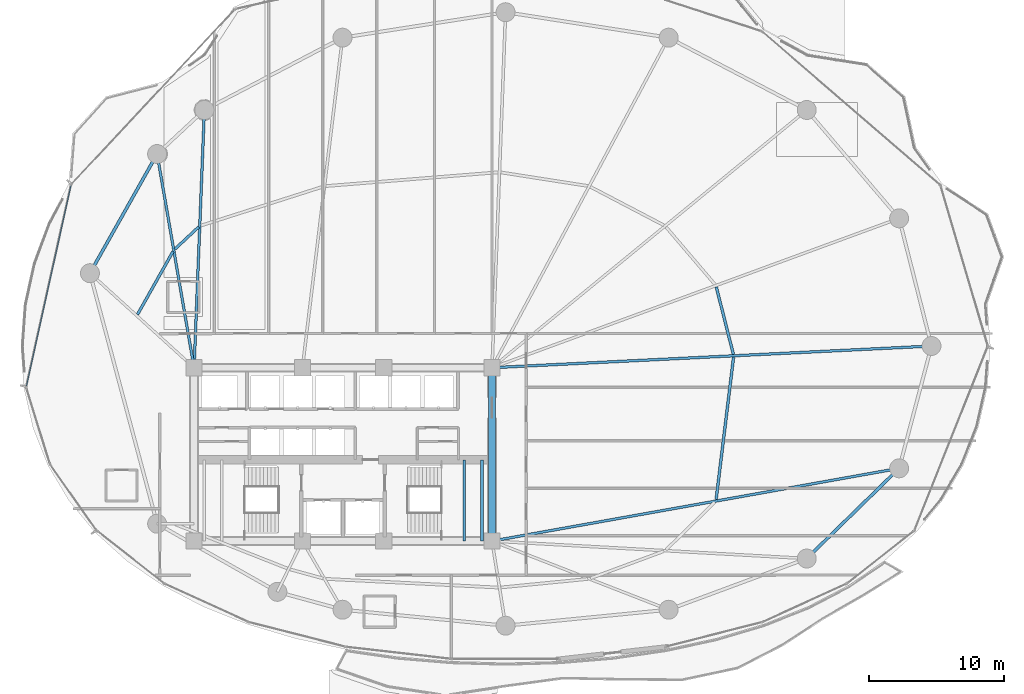
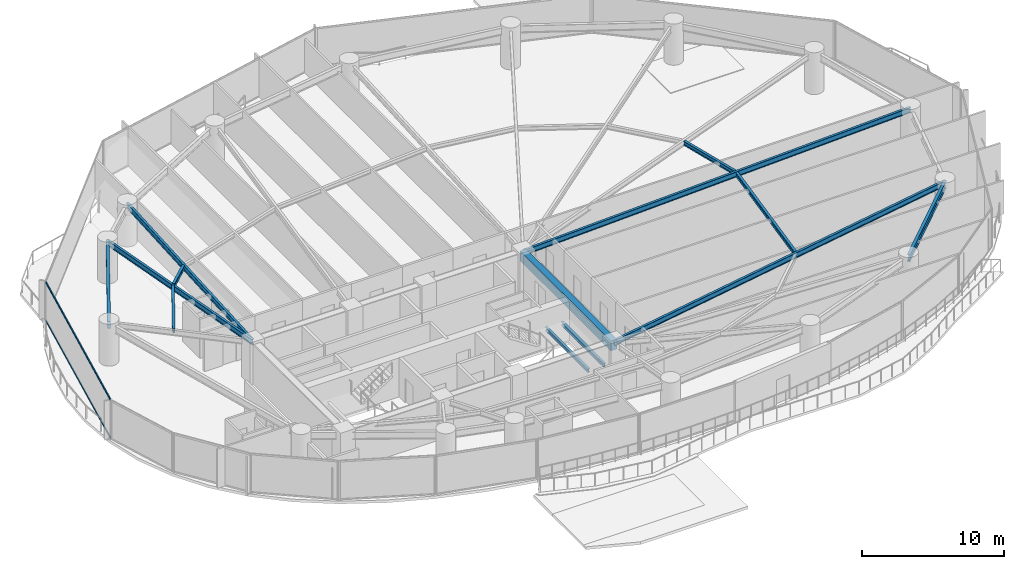
# One storey, part 15 of 32: 13 beams, 2 members, 1 element without a shape of its own.
"""IFC4 building model written with IfcOpenShell, lengths in metres."""

from ifc_helpers import new_model, si_unit, direction, frame, origin, origin_2d, place, context, subcontext, project, spatial, rectangle, hollow_rectangle, i_section, extrude, material, layer, layer_set, material_profile, profile_set, type_object, element, aggregate, save


model = new_model("IFC4")

# Units and contexts
model_context = context("Model", 3, precision=1e-05, world=origin(), true_north=direction((0.0, 1.0)))
body_context = subcontext(model_context, "Body", "Model", "MODEL_VIEW")
ifc_project = project(units=[si_unit("LENGTHUNIT", "METRE"), si_unit("AREAUNIT", "SQUARE_METRE"), si_unit("VOLUMEUNIT", "CUBIC_METRE"), si_unit("PLANEANGLEUNIT", "RADIAN"), si_unit("MASSUNIT", "GRAM", prefix="KILO")], contexts=[model_context])

# Site, building, storey
site_placement = place(None, origin())
site = spatial("IfcSite", under=ifc_project, at=site_placement, CompositionType="ELEMENT")
building_placement = place(site_placement, origin())
building = spatial("IfcBuilding", under=site, at=building_placement, Name="Kazevale Care Tower and Concert Hall", CompositionType="ELEMENT")
storey_placement = place(building_placement, frame((0.0, 0.0, 24.0)))
storey = spatial("IfcBuildingStorey", under=building, at=storey_placement, Name="L05", CompositionType="ELEMENT", Elevation=24.0)

# Curtain wall, members
ifc_material_1 = material(Name="Aluminium 6063-T6 and Low-E Glass", Category="aluminium")
ifc_layer = layer(ifc_material_1, 0.179931640625)
ifc_layer_set = layer_set([ifc_layer], Name="Aluminium 6063-T6 and Low-E Glass")
curtain_wall_type = type_object("IfcCurtainWallType", Name="Waist & Upper Residential Curtain Wall CW-4", PredefinedType="NOTDEFINED", material=ifc_layer_set)
curtain_wall_placement = place(storey_placement, origin())
curtain_wall = element("IfcCurtainWall", 1, at=curtain_wall_placement, inside=storey, type_object=curtain_wall_type, Name="cw:L05:f13", PredefinedType="NOTDEFINED")
ifc_material_2 = material(Name="Aluminium 6063-T6", Category="aluminium")
ifc_material_profile_1 = material_profile(ifc_material_2, hollow_rectangle(XDim=0.080078125, YDim=0.139892578125, WallThickness=0.00390625, at=origin_2d()), Name="ALU80x140x4")
ifc_profile_set_1 = profile_set([ifc_material_profile_1], Name="Aluminium 6063-T6")
member_type = type_object("IfcMemberType", Name="CW-4 Transom ALU80x140x4", PredefinedType="USERDEFINED", material=ifc_profile_set_1)
member_1_placement = place(storey_placement, frame((9.621337890625, 35.0361328125, 0.0400390625), z_axis=(0.216465185417, 0.976290337708, 0.0), x_axis=(-0.976290337708, 0.216465185417, 0.0)))
member_1 = element("IfcMember", 2, at=member_1_placement, type_object=member_type, Name="CW-4 transom 1.1", ObjectType="TRANSOM", PredefinedType="USERDEFINED", context=body_context, shape_type="SweptSolid", body=[
    extrude(hollow_rectangle(XDim=0.080078125, YDim=0.139892578125, WallThickness=0.00390625, at=origin_2d()), origin(), (0.0, 0.0, 1.0), 15.16845703125),
])
member_2_placement = place(storey_placement, frame((9.621337890625, 35.0361328125, 3.320068359375), z_axis=(0.216465185417, 0.976290337708, 0.0), x_axis=(-0.976290337708, 0.216465185417, 0.0)))
member_2 = element("IfcMember", 3, at=member_2_placement, type_object=member_type, Name="CW-4 transom 1.2", ObjectType="TRANSOM", PredefinedType="USERDEFINED", context=body_context, shape_type="SweptSolid", body=[
    extrude(hollow_rectangle(XDim=0.080078125, YDim=0.139892578125, WallThickness=0.00390625, at=origin_2d()), origin(), (0.0, 0.0, 1.0), 15.16845703125),
])
aggregate(curtain_wall, [member_1, member_2])

# Beams
ifc_material_3 = material(Name="Concrete C60", Category="concrete")
ifc_material_profile_2 = material_profile(ifc_material_3, rectangle(XDim=0.5, YDim=0.85009765625, at=origin_2d()), Name="RC-B500x850")
ifc_profile_set_2 = profile_set([ifc_material_profile_2], Name="Concrete C60")
beam_type_1 = type_object("IfcBeamType", Name="Core Coupling Beam RC500x850", PredefinedType="LINTEL", material=ifc_profile_set_2)
beam_1_placement = place(storey_placement, frame((44.0, 23.60009765625, 2.93505859375), z_axis=(0.0, 1.0, 0.0), x_axis=(-1.0, 0.0, 0.0)))
element("IfcBeam", 4, at=beam_1_placement, inside=storey, type_object=beam_type_1, Name="beam:L05:coretie:4", PredefinedType="LINTEL", context=body_context, shape_type="SweptSolid", body=[
    extrude(rectangle(XDim=0.5, YDim=0.85009765625, at=origin_2d()), origin(), (0.0, 0.0, 1.0), 12.7998046875),
])
ifc_material_4 = material(Name="Steel ASTM A572 Gr 50", Category="steel")
ifc_material_profile_3 = material_profile(ifc_material_4, i_section(OverallWidth=0.19091796875, OverallDepth=0.4599609375, WebThickness=0.010009765625, FlangeThickness=0.01611328125, at=origin_2d()), Name="W460x82")
ifc_profile_set_3 = profile_set([ifc_material_profile_3], Name="Steel ASTM A572 Gr 50")
beam_type_2 = type_object("IfcBeamType", Name="Radial Floor Beam W460x82", PredefinedType="BEAM", material=ifc_profile_set_3)
beam_2_placement = place(storey_placement, frame((44.0, 36.39990234375, 3.1298828125), z_axis=(0.998786488782, 0.049249871327, 0.0), x_axis=(-0.049249871327, 0.998786488782, 0.0)))
element("IfcBeam", 5, at=beam_2_placement, inside=storey, type_object=beam_type_2, Name="beam:L05:rad:01", PredefinedType="BEAM", context=body_context, shape_type="SweptSolid", body=[
    extrude(i_section(OverallWidth=0.19091796875, OverallDepth=0.4599609375, WebThickness=0.010009765625, FlangeThickness=0.01611328125, at=origin_2d()), origin(), (0.0, 0.0, 1.0), 32.4892578125),
])
beam_3_placement = place(storey_placement, frame((22.0, 36.39990234375, 3.1298828125), z_axis=(0.039905581428, 0.999203455044, 0.0), x_axis=(-0.999203455044, 0.039905581428, 0.0)))
element("IfcBeam", 6, at=beam_3_placement, inside=storey, type_object=beam_type_2, Name="beam:L05:rad:07", PredefinedType="BEAM", context=body_context, shape_type="SweptSolid", body=[
    extrude(i_section(OverallWidth=0.19091796875, OverallDepth=0.4599609375, WebThickness=0.010009765625, FlangeThickness=0.01611328125, at=origin_2d()), origin(), (0.0, 0.0, 1.0), 19.045166015625),
])
beam_4_placement = place(storey_placement, frame((22.0, 36.39990234375, 3.1298828125), z_axis=(-0.170469986865, 0.985362868987, 0.0), x_axis=(-0.985362868987, -0.170469986865, 0.0)))
element("IfcBeam", 7, at=beam_4_placement, inside=storey, type_object=beam_type_2, Name="beam:L05:rad:08", PredefinedType="BEAM", context=body_context, shape_type="SweptSolid", body=[
    extrude(i_section(OverallWidth=0.19091796875, OverallDepth=0.4599609375, WebThickness=0.010009765625, FlangeThickness=0.01611328125, at=origin_2d()), origin(), (0.0, 0.0, 1.0), 16.014404296875),
])
beam_5_placement = place(storey_placement, frame((44.0, 23.60009765625, 3.1298828125), z_axis=(0.984416208219, 0.175854283415, 0.0), x_axis=(-0.175854283415, 0.984416208219, 0.0)))
element("IfcBeam", 8, at=beam_5_placement, inside=storey, type_object=beam_type_2, Name="beam:L05:rad:16", PredefinedType="BEAM", context=body_context, shape_type="SweptSolid", body=[
    extrude(i_section(OverallWidth=0.19091796875, OverallDepth=0.4599609375, WebThickness=0.010009765625, FlangeThickness=0.01611328125, at=origin_2d()), origin(), (0.0, 0.0, 1.0), 30.535888671875),
])
ifc_material_profile_4 = material_profile(ifc_material_4, i_section(OverallWidth=0.22900390625, OverallDepth=0.612060546875, WebThickness=0.011962890625, FlangeThickness=0.01953125, at=origin_2d()), Name="W610x125")
ifc_profile_set_4 = profile_set([ifc_material_profile_4], Name="Steel ASTM A572 Gr 50")
beam_type_3 = type_object("IfcBeamType", Name="Ring Spandrel Beam W610x125", PredefinedType="SPANDREL", material=ifc_profile_set_4)
beam_6_placement = place(storey_placement, frame((19.27001953125, 52.179931640625, 3.053955078125), z_axis=(-0.491008061092, -0.87115502865, 0.0), x_axis=(0.87115502865, -0.491008061092, 0.0)))
element("IfcBeam", 9, at=beam_6_placement, inside=storey, type_object=beam_type_3, Name="beam:L05:ring:08", PredefinedType="SPANDREL", context=body_context, shape_type="SweptSolid", body=[
    extrude(i_section(OverallWidth=0.22900390625, OverallDepth=0.612060546875, WebThickness=0.011962890625, FlangeThickness=0.01953125, at=origin_2d()), origin(), (0.0, 0.0, 1.0), 10.1015625),
])
beam_7_placement = place(storey_placement, frame((67.239990234375, 22.31005859375, 3.053955078125), z_axis=(0.715457453508, 0.698656304788, 0.0), x_axis=(-0.698656304788, 0.715457453508, 0.0)))
element("IfcBeam", 10, at=beam_7_placement, inside=storey, type_object=beam_type_3, Name="beam:L05:ring:15", PredefinedType="SPANDREL", context=body_context, shape_type="SweptSolid", body=[
    extrude(i_section(OverallWidth=0.22900390625, OverallDepth=0.612060546875, WebThickness=0.011962890625, FlangeThickness=0.01953125, at=origin_2d()), origin(), (0.0, 0.0, 1.0), 9.532470703125),
])
ifc_material_profile_5 = material_profile(ifc_material_4, i_section(OverallWidth=0.205078125, OverallDepth=0.35400390625, WebThickness=0.009521484375, FlangeThickness=0.016845703125, at=origin_2d()), Name="W360x79")
ifc_profile_set_5 = profile_set([ifc_material_profile_5], Name="Steel ASTM A572 Gr 50")
beam_type_4 = type_object("IfcBeamType", Name="Secondary Floor Joist W360x79", PredefinedType="JOIST", material=ifc_profile_set_5)
beam_8_placement = place(storey_placement, frame((61.822021484375, 37.382080078125, 3.18310546875), z_axis=(-0.24568570229, 0.969349542575, 0.0), x_axis=(-0.969349542575, -0.24568570229, 0.0)))
element("IfcBeam", 11, at=beam_8_placement, inside=storey, type_object=beam_type_4, Name="beam:L05:joist:01", PredefinedType="JOIST", context=body_context, shape_type="SweptSolid", body=[
    extrude(i_section(OverallWidth=0.205078125, OverallDepth=0.35400390625, WebThickness=0.009521484375, FlangeThickness=0.016845703125, at=origin_2d()), origin(), (0.0, 0.0, 1.0), 5.140380859375),
])
beam_9_placement = place(storey_placement, frame((22.341064453125, 46.794921875, 3.18310546875), z_axis=(-0.73194965424, -0.68135871878, 0.0), x_axis=(0.68135871878, -0.73194965424, 0.0)))
element("IfcBeam", 12, at=beam_9_placement, inside=storey, type_object=beam_type_4, Name="beam:L05:joist:07", PredefinedType="JOIST", context=body_context, shape_type="SweptSolid", body=[
    extrude(i_section(OverallWidth=0.205078125, OverallDepth=0.35400390625, WebThickness=0.009521484375, FlangeThickness=0.016845703125, at=origin_2d()), origin(), (0.0, 0.0, 1.0), 2.412841796875),
])
beam_10_placement = place(storey_placement, frame((20.447021484375, 44.988037109375, 3.18310546875), z_axis=(-0.490956987312, -0.871183813331, 0.0), x_axis=(0.871183813331, -0.490956987312, 0.0)))
element("IfcBeam", 13, at=beam_10_placement, inside=storey, type_object=beam_type_4, Name="beam:L05:joist:08", PredefinedType="JOIST", context=body_context, shape_type="SweptSolid", body=[
    extrude(i_section(OverallWidth=0.205078125, OverallDepth=0.35400390625, WebThickness=0.009521484375, FlangeThickness=0.016845703125, at=origin_2d()), origin(), (0.0, 0.0, 1.0), 5.3466796875),
])
beam_11_placement = place(storey_placement, frame((60.5458984375, 26.657958984375, 3.18310546875), z_axis=(0.1216468088, 0.992573450133, 0.0), x_axis=(-0.992573450133, 0.1216468088, 0.0)))
element("IfcBeam", 14, at=beam_11_placement, inside=storey, type_object=beam_type_4, Name="beam:L05:joist:16", PredefinedType="JOIST", context=body_context, shape_type="SweptSolid", body=[
    extrude(i_section(OverallWidth=0.205078125, OverallDepth=0.35400390625, WebThickness=0.009521484375, FlangeThickness=0.016845703125, at=origin_2d()), origin(), (0.0, 0.0, 1.0), 10.5966796875),
])
ifc_material_profile_6 = material_profile(ifc_material_4, i_section(OverallWidth=0.202880859375, OverallDepth=0.302978515625, WebThickness=0.007568359375, FlangeThickness=0.01318359375, at=origin_2d()), Name="W310x60")
ifc_profile_set_6 = profile_set([ifc_material_profile_6], Name="Steel ASTM A572 Gr 50")
beam_type_5 = type_object("IfcBeamType", Name="Stair & Balcony Trimmer W310x60", PredefinedType="BEAM", material=ifc_profile_set_6)
for number, where, z_axis, x_axis, name in (
    (15, (41.949951171875, 23.60009765625, 1.448486328125), (0.0, 1.0, 0.0), (-1.0, 0.0, 0.0), "beam:L05:sttrim:ST2"),
    (16, (43.25, 23.60009765625, 1.448486328125), (0.0, 1.0, 0.0), (-1.0, 0.0, 0.0), "beam:L05:sttrim:ST2b"),
):
    element("IfcBeam", number, at=place(storey_placement, frame(where, z_axis=z_axis, x_axis=x_axis)), inside=storey, type_object=beam_type_5, Name=name, PredefinedType="BEAM", context=body_context, shape_type="SweptSolid", body=[
        extrude(i_section(OverallWidth=0.202880859375, OverallDepth=0.302978515625, WebThickness=0.007568359375, FlangeThickness=0.01318359375, at=origin_2d()), origin(), (0.0, 0.0, 1.0), 6.0),
    ])

save(model, "model.ifc")
